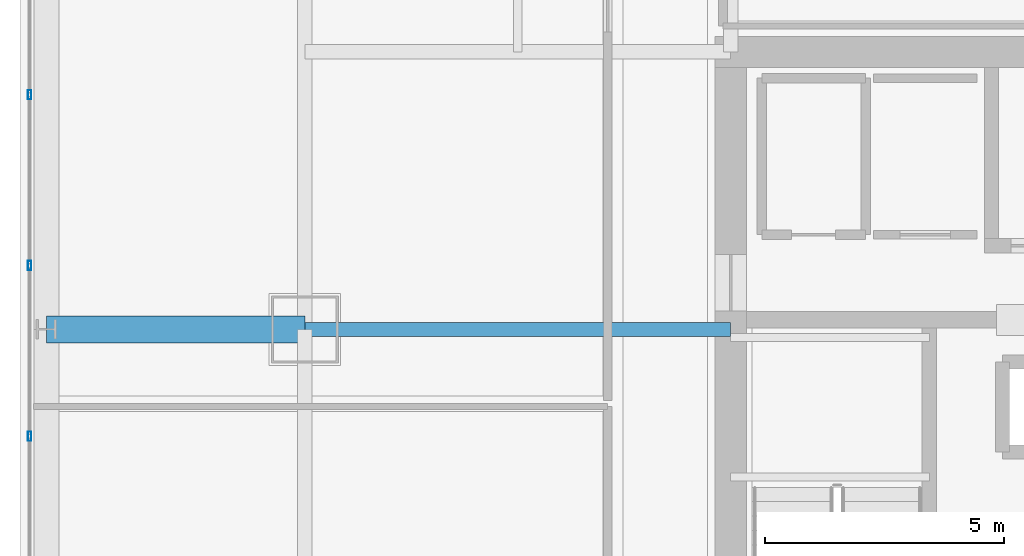
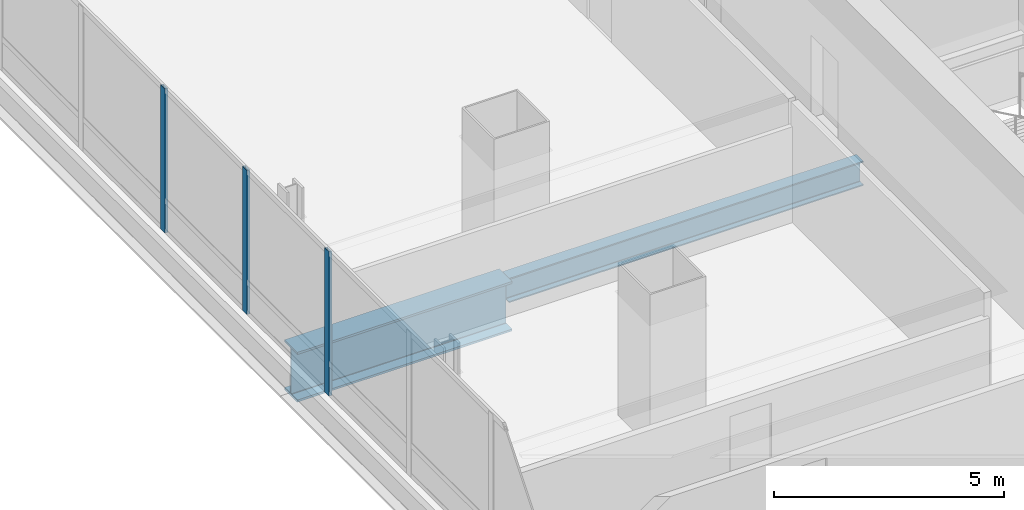
# One storey, part 10 of 38: 3 members, 2 beams, 1 element without a shape of its own.
"""IFC4 building model written with IfcOpenShell, lengths in metres."""

from ifc_helpers import new_model, si_unit, direction, frame, origin, origin_2d, place, context, subcontext, project, spatial, hollow_rectangle, i_section, extrude, material, material_profile, profile_set, type_object, element, aggregate, save


model = new_model("IFC4")

# Units and contexts
model_context = context("Model", 3, precision=1e-05, world=origin(), true_north=direction((0.0, 1.0)))
body_context = subcontext(model_context, "Body", "Model", "MODEL_VIEW")
ifc_project = project(units=[si_unit("LENGTHUNIT", "METRE"), si_unit("AREAUNIT", "SQUARE_METRE"), si_unit("VOLUMEUNIT", "CUBIC_METRE"), si_unit("PLANEANGLEUNIT", "RADIAN"), si_unit("MASSUNIT", "GRAM", prefix="KILO")], contexts=[model_context])

# Site, building, storey
site_placement = place(None, origin())
site = spatial("IfcSite", under=ifc_project, at=site_placement, CompositionType="ELEMENT")
building_placement = place(site_placement, origin())
building = spatial("IfcBuilding", under=site, at=building_placement, Name="Punatoya Terracotta Tower", CompositionType="ELEMENT")
storey_placement = place(building_placement, frame((0.0, 0.0, 188.39990234375)))
storey = spatial("IfcBuildingStorey", under=building, at=storey_placement, Name="L44", CompositionType="ELEMENT", Elevation=188.39990234375)

# Beams
ifc_material_1 = material(Name="Steel S355", Category="steel")
ifc_material_profile_1 = material_profile(ifc_material_1, i_section(OverallWidth=0.300048828125, OverallDepth=0.64990234375, WebThickness=0.01611328125, FlangeThickness=0.031005859375, FilletRadius=0.01806640625, at=origin_2d()))
ifc_profile_set_1 = profile_set([ifc_material_profile_1], Name="Steel S355")
beam_type_1 = type_object("IfcBeamType", Name="BM-PRI-650", PredefinedType="BEAM", material=ifc_profile_set_1)
beam_1_placement = place(storey_placement, frame((-19.10009765625, 3.39990234375, -0.544921875), z_axis=(1.0, 0.0, 0.0), x_axis=(0.0, 1.0, 0.0)))
element("IfcBeam", 1, at=beam_1_placement, inside=storey, type_object=beam_type_1, Name="BM-L44-PR-WE", PredefinedType="BEAM", context=body_context, shape_type="SweptSolid", body=[
    extrude(i_section(OverallWidth=0.300048828125, OverallDepth=0.64990234375, WebThickness=0.01611328125, FlangeThickness=0.031005859375, FilletRadius=0.01806640625, at=origin_2d()), origin(), (0.0, 0.0, 1.0), 8.900146484375),
])
ifc_material_2 = material(Name="Steel S460", Category="steel")
ifc_material_profile_2 = material_profile(ifc_material_2, i_section(OverallWidth=0.56005859375, OverallDepth=1.320068359375, WebThickness=0.035888671875, FlangeThickness=0.054931640625, FilletRadius=0.01806640625, at=origin_2d()))
ifc_profile_set_2 = profile_set([ifc_material_profile_2], Name="Steel S460")
beam_type_2 = type_object("IfcBeamType", Name="BM-TG-BLK", PredefinedType="BEAM", material=ifc_profile_set_2)
beam_2_placement = place(storey_placement, frame((-24.5, 3.39990234375, -0.8798828125), z_axis=(1.0, 0.0, 0.0), x_axis=(0.0, 1.0, 0.0)))
element("IfcBeam", 2, at=beam_2_placement, inside=storey, type_object=beam_type_2, Name="BM-L44-CANT-W3", PredefinedType="BEAM", context=body_context, shape_type="SweptSolid", body=[
    extrude(i_section(OverallWidth=0.56005859375, OverallDepth=1.320068359375, WebThickness=0.035888671875, FlangeThickness=0.054931640625, FilletRadius=0.01806640625, at=origin_2d()), origin(), (0.0, 0.0, 1.0), 5.39990234375),
])

# Curtain wall, members
ifc_material_3 = material(Name="Aluminium 6063-T6 + Double Low-E Glass", Category="aluminium")
curtain_wall_type = type_object("IfcCurtainWallType", Name="CW-M2", PredefinedType="NOTDEFINED", material=ifc_material_3)
curtain_wall_placement = place(storey_placement, origin())
curtain_wall = element("IfcCurtainWall", 3, at=curtain_wall_placement, inside=storey, type_object=curtain_wall_type, Name="L44 Curtain Wall CW-L44-W13-1", PredefinedType="NOTDEFINED")
ifc_material_4 = material(Name="Aluminium 6063-T6", Category="aluminium")
ifc_material_profile_3 = material_profile(ifc_material_4, hollow_rectangle(XDim=0.072021484375, YDim=0.195068359375, WallThickness=0.00439453125, at=origin_2d()))
ifc_profile_set_3 = profile_set([ifc_material_profile_3], Name="Aluminium 6063-T6")
member_type = type_object("IfcMemberType", Name="CW-MUL-M2", PredefinedType="MULLION", material=ifc_profile_set_3)
member_1_placement = place(storey_placement, frame((-24.85009765625, 8.302001953125, 0.0), z_axis=(0.0, 0.0, 1.0), x_axis=(1.0, 0.0, 0.0)))
member_1 = element("IfcMember", 4, at=member_1_placement, type_object=member_type, Name="CW-L44-W13-1 Mullion 02", PredefinedType="MULLION", context=body_context, shape_type="SweptSolid", body=[
    extrude(hollow_rectangle(XDim=0.072021484375, YDim=0.195068359375, WallThickness=0.00439453125, at=origin_2d()), origin(), (0.0, 0.0, 1.0), 3.830078125),
])
member_2_placement = place(storey_placement, frame((-24.85009765625, 4.73486328125, 0.0), z_axis=(0.0, 0.0, 1.0), x_axis=(1.0, 0.0, 0.0)))
member_2 = element("IfcMember", 5, at=member_2_placement, type_object=member_type, Name="CW-L44-W13-1 Mullion 03", PredefinedType="MULLION", context=body_context, shape_type="SweptSolid", body=[
    extrude(hollow_rectangle(XDim=0.072021484375, YDim=0.195068359375, WallThickness=0.00439453125, at=origin_2d()), origin(), (0.0, 0.0, 1.0), 3.830078125),
])
member_3_placement = place(storey_placement, frame((-24.85009765625, 1.16748046875, 0.0), z_axis=(0.0, 0.0, 1.0), x_axis=(1.0, 0.0, 0.0)))
member_3 = element("IfcMember", 6, at=member_3_placement, type_object=member_type, Name="CW-L44-W13-1 Mullion 04", PredefinedType="MULLION", context=body_context, shape_type="SweptSolid", body=[
    extrude(hollow_rectangle(XDim=0.072021484375, YDim=0.195068359375, WallThickness=0.00439453125, at=origin_2d()), origin(), (0.0, 0.0, 1.0), 3.830078125),
])
aggregate(curtain_wall, [member_1, member_2, member_3])

save(model, "model.ifc")
